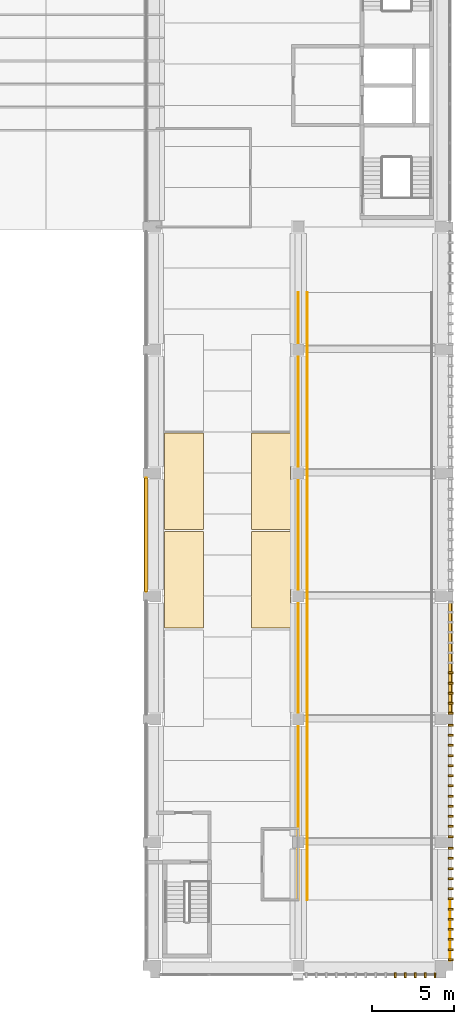
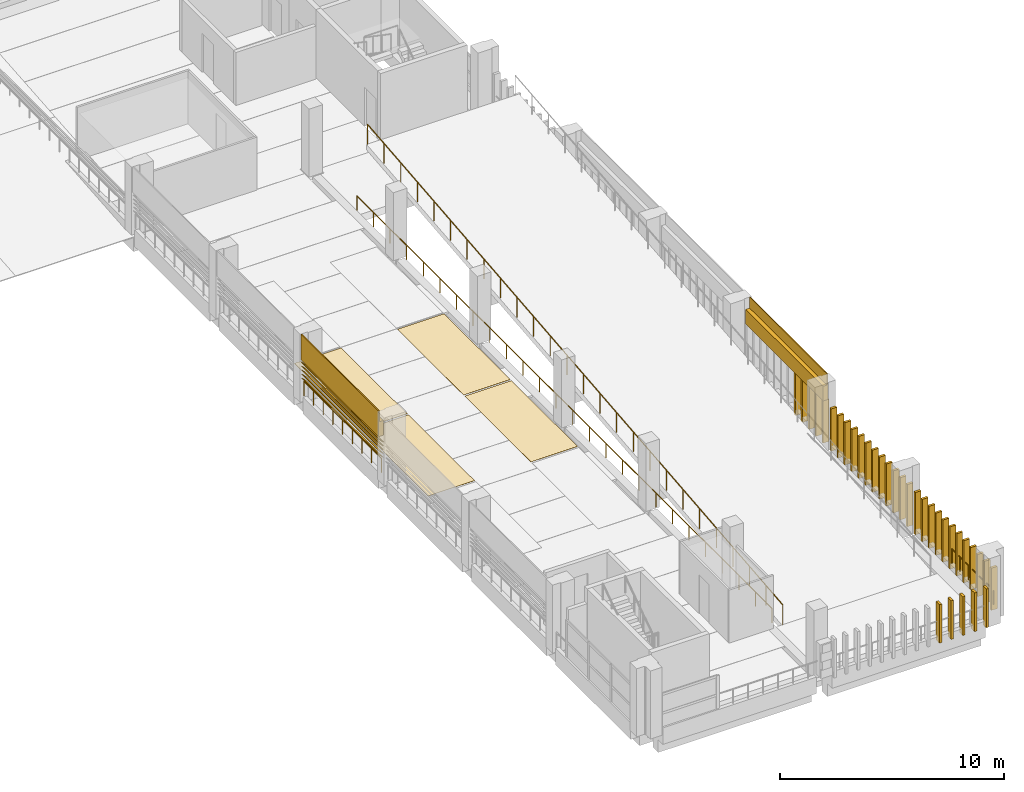
# One storey, part 20 of 24: 40 coverings, 5 shading devices, 4 railings.
"""IFC4 building model written with IfcOpenShell, lengths in metres."""

from ifc_helpers import new_model, si_unit, direction, frame, origin, origin_2d, place, context, subcontext, project, spatial, polyline, circle, outline, extrude, material, layer, layer_set, type_object, element, save


model = new_model("IFC4")

# Units and contexts
model_context = context("Model", 3, precision=1e-05, world=origin(), true_north=direction((0.0, 1.0)))
body_context = subcontext(model_context, "Body", "Model", "MODEL_VIEW")
ifc_project = project(units=[si_unit("LENGTHUNIT", "METRE"), si_unit("AREAUNIT", "SQUARE_METRE"), si_unit("VOLUMEUNIT", "CUBIC_METRE"), si_unit("PLANEANGLEUNIT", "RADIAN"), si_unit("MASSUNIT", "GRAM", prefix="KILO")], contexts=[model_context])

# Site, building, storey
site_placement = place(None, origin())
site = spatial("IfcSite", under=ifc_project, at=site_placement, CompositionType="ELEMENT")
building_placement = place(site_placement, origin())
building = spatial("IfcBuilding", under=site, at=building_placement, Name="Cour d'Honneur Mobility Palace", CompositionType="ELEMENT")
storey_placement = place(building_placement, frame((0.0, 0.0, 26.699951171875)))
storey = spatial("IfcBuildingStorey", under=building, at=storey_placement, Name="L07", CompositionType="ELEMENT", Elevation=26.699951171875)

# Railings
ifc_material_1 = material(Name="Painted steel", Category="steel")
railing_type_1 = type_object("IfcRailingType", Name="Balustrade", PredefinedType="BALUSTRADE", material=ifc_material_1)
railing_1_placement = place(storey_placement, frame((162.85009765625, 0.300048828125, 0.300048828125)))
element("IfcRailing", 1, at=railing_1_placement, inside=storey, type_object=railing_type_1, Name="Balustrade BAL-378", PredefinedType="BALUSTRADE", context=body_context, shape_type="SweptSolid", body=[
    extrude(circle(Radius=0.02392578125, at=origin_2d()), frame((0.0, 0.0, 0.77587890625), z_axis=(0.0, 1.0, 0.0), x_axis=(-1.0, 0.0, 0.0)), (0.0, 0.0, 1.0), 3.699951171875),
    extrude(circle(Radius=0.02099609375, at=origin_2d()), origin(), (0.0, 0.0, 1.0), 0.751953125),
    extrude(circle(Radius=0.02099609375, at=origin_2d()), frame((0.0, 0.739990234375, 0.0)), (0.0, 0.0, 1.0), 0.751953125),
    extrude(circle(Radius=0.02099609375, at=origin_2d()), frame((0.0, 1.47998046875, 0.0)), (0.0, 0.0, 1.0), 0.751953125),
    extrude(circle(Radius=0.02099609375, at=origin_2d()), frame((0.0, 2.219970703125, 0.0)), (0.0, 0.0, 1.0), 0.751953125),
    extrude(circle(Radius=0.02099609375, at=origin_2d()), frame((0.0, 2.9599609375, 0.0)), (0.0, 0.0, 1.0), 0.751953125),
    extrude(circle(Radius=0.02099609375, at=origin_2d()), frame((0.0, 3.699951171875, 0.0)), (0.0, 0.0, 1.0), 0.751953125),
])
railing_2_placement = place(storey_placement, frame((144.35009765625, 29.699951171875, 0.300048828125)))
element("IfcRailing", 2, at=railing_2_placement, inside=storey, type_object=railing_type_1, Name="Balustrade BAL-384", PredefinedType="BALUSTRADE", context=body_context, shape_type="SweptSolid", body=[
    extrude(circle(Radius=0.02392578125, at=origin_2d()), frame((0.0, 0.0, 0.77587890625), z_axis=(0.0, -1.0, 0.0), x_axis=(1.0, 0.0, 0.0)), (0.0, 0.0, 1.0), 6.89990234375),
    extrude(circle(Radius=0.02099609375, at=origin_2d()), origin(), (0.0, 0.0, 1.0), 0.751953125),
    extrude(circle(Radius=0.02099609375, at=origin_2d()), frame((0.0, -0.862548828125, 0.0)), (0.0, 0.0, 1.0), 0.751953125),
    extrude(circle(Radius=0.02099609375, at=origin_2d()), frame((0.0, -1.72509765625, 0.0)), (0.0, 0.0, 1.0), 0.751953125),
    extrude(circle(Radius=0.02099609375, at=origin_2d()), frame((0.0, -2.58740234375, 0.0)), (0.0, 0.0, 1.0), 0.751953125),
    extrude(circle(Radius=0.02099609375, at=origin_2d()), frame((0.0, -3.449951171875, 0.0)), (0.0, 0.0, 1.0), 0.751953125),
    extrude(circle(Radius=0.02099609375, at=origin_2d()), frame((0.0, -4.3125, 0.0)), (0.0, 0.0, 1.0), 0.751953125),
    extrude(circle(Radius=0.02099609375, at=origin_2d()), frame((0.0, -5.1748046875, 0.0)), (0.0, 0.0, 1.0), 0.751953125),
    extrude(circle(Radius=0.02099609375, at=origin_2d()), frame((0.0, -6.037353515625, 0.0)), (0.0, 0.0, 1.0), 0.751953125),
    extrude(circle(Radius=0.02099609375, at=origin_2d()), frame((0.0, -6.89990234375, 0.0)), (0.0, 0.0, 1.0), 0.751953125),
])

# Coverings
ifc_material_2 = material(Name="Parking marking paint")
ifc_layer_1 = layer(ifc_material_2, 0.0048828125)
ifc_layer_set_1 = layer_set([ifc_layer_1], Name="Parking marking paint")
covering_type_1 = type_object("IfcCoveringType", Name="Parking bay marking", PredefinedType="FLOORING", material=ifc_layer_set_1)
covering_1_placement = place(storey_placement, origin())
element("IfcCovering", 3, at=covering_1_placement, inside=storey, type_object=covering_type_1, Name="Parking bay marking L07 2", PredefinedType="FLOORING", context=body_context, shape_type="SweptSolid", body=[
    extrude(outline(polyline([(153.14990234375, 20.550048828125), (150.75, 20.550048828125), (150.75, 26.449951171875), (153.14990234375, 26.449951171875), (153.14990234375, 20.550048828125)])), origin(), (0.0, 0.0, 1.0), 0.005126953125),
])
covering_2_placement = place(storey_placement, origin())
element("IfcCovering", 4, at=covering_2_placement, inside=storey, type_object=covering_type_1, Name="Parking bay marking L07 3", PredefinedType="FLOORING", context=body_context, shape_type="SweptSolid", body=[
    extrude(outline(polyline([(153.14990234375, 26.550048828125), (150.75, 26.550048828125), (150.75, 32.449951171875), (153.14990234375, 32.449951171875), (153.14990234375, 26.550048828125)])), origin(), (0.0, 0.0, 1.0), 0.005126953125),
])
covering_3_placement = place(storey_placement, origin())
element("IfcCovering", 5, at=covering_3_placement, inside=storey, type_object=covering_type_1, Name="Parking bay marking L07 6", PredefinedType="FLOORING", context=body_context, shape_type="SweptSolid", body=[
    extrude(outline(polyline([(147.85009765625, 20.550048828125), (145.449951171875, 20.550048828125), (145.449951171875, 26.449951171875), (147.85009765625, 26.449951171875), (147.85009765625, 20.550048828125)])), origin(), (0.0, 0.0, 1.0), 0.005126953125),
])
covering_4_placement = place(storey_placement, origin())
element("IfcCovering", 6, at=covering_4_placement, inside=storey, type_object=covering_type_1, Name="Parking bay marking L07 7", PredefinedType="FLOORING", context=body_context, shape_type="SweptSolid", body=[
    extrude(outline(polyline([(147.85009765625, 26.550048828125), (145.449951171875, 26.550048828125), (145.449951171875, 32.449951171875), (147.85009765625, 32.449951171875), (147.85009765625, 26.550048828125)])), origin(), (0.0, 0.0, 1.0), 0.005126953125),
])

# Railing
ifc_material_3 = material(Name="Painted steel", Category="steel")
railing_type_2 = type_object("IfcRailingType", Name="Ramp guard 1100", PredefinedType="GUARDRAIL", material=ifc_material_3)
railing_3_placement = place(storey_placement, frame((154.14990234375, 4.0, 0.0)))
element("IfcRailing", 7, at=railing_3_placement, inside=storey, type_object=railing_type_2, Name="Ramp guard Ramp East 8", PredefinedType="GUARDRAIL", context=body_context, shape_type="SweptSolid", body=[
    extrude(circle(Radius=0.02490234375, at=origin_2d()), frame((0.0, 0.0, 1.0751953125), z_axis=(0.0, 0.995037320222, 0.099502418892), x_axis=(-1.0, 0.0, 0.0)), (0.0, 0.0, 1.0), 37.1845703125),
    extrude(circle(Radius=0.02099609375, at=origin_2d()), origin(), (0.0, 0.0, 1.0), 1.050048828125),
    extrude(circle(Radius=0.02099609375, at=origin_2d()), frame((0.0, 1.47998046875, 0.14794921875)), (0.0, 0.0, 1.0), 1.050048828125),
    extrude(circle(Radius=0.02099609375, at=origin_2d()), frame((0.0, 2.9599609375, 0.2958984375)), (0.0, 0.0, 1.0), 1.050048828125),
    extrude(circle(Radius=0.02099609375, at=origin_2d()), frame((0.0, 4.43994140625, 0.444091796875)), (0.0, 0.0, 1.0), 1.050048828125),
    extrude(circle(Radius=0.02099609375, at=origin_2d()), frame((0.0, 5.919921875, 0.592041015625)), (0.0, 0.0, 1.0), 1.050048828125),
    extrude(circle(Radius=0.02099609375, at=origin_2d()), frame((0.0, 7.39990234375, 0.739990234375)), (0.0, 0.0, 1.0), 1.050048828125),
    extrude(circle(Radius=0.02099609375, at=origin_2d()), frame((0.0, 8.8798828125, 0.887939453125)), (0.0, 0.0, 1.0), 1.050048828125),
    extrude(circle(Radius=0.02099609375, at=origin_2d()), frame((0.0, 10.360107421875, 1.035888671875)), (0.0, 0.0, 1.0), 1.050048828125),
    extrude(circle(Radius=0.02099609375, at=origin_2d()), frame((0.0, 11.840087890625, 1.18408203125)), (0.0, 0.0, 1.0), 1.050048828125),
    extrude(circle(Radius=0.02099609375, at=origin_2d()), frame((0.0, 13.320068359375, 1.33203125)), (0.0, 0.0, 1.0), 1.050048828125),
    extrude(circle(Radius=0.02099609375, at=origin_2d()), frame((0.0, 14.800048828125, 1.47998046875)), (0.0, 0.0, 1.0), 1.050048828125),
    extrude(circle(Radius=0.02099609375, at=origin_2d()), frame((0.0, 16.280029296875, 1.6279296875)), (0.0, 0.0, 1.0), 1.050048828125),
    extrude(circle(Radius=0.02099609375, at=origin_2d()), frame((0.0, 17.760009765625, 1.77587890625)), (0.0, 0.0, 1.0), 1.050048828125),
    extrude(circle(Radius=0.02099609375, at=origin_2d()), frame((0.0, 19.239990234375, 1.924072265625)), (0.0, 0.0, 1.0), 1.050048828125),
    extrude(circle(Radius=0.02099609375, at=origin_2d()), frame((0.0, 20.719970703125, 2.072021484375)), (0.0, 0.0, 1.0), 1.050048828125),
    extrude(circle(Radius=0.02099609375, at=origin_2d()), frame((0.0, 22.199951171875, 2.219970703125)), (0.0, 0.0, 1.0), 1.050048828125),
    extrude(circle(Radius=0.02099609375, at=origin_2d()), frame((0.0, 23.679931640625, 2.367919921875)), (0.0, 0.0, 1.0), 1.050048828125),
    extrude(circle(Radius=0.02099609375, at=origin_2d()), frame((0.0, 25.159912109375, 2.515869140625)), (0.0, 0.0, 1.0), 1.050048828125),
    extrude(circle(Radius=0.02099609375, at=origin_2d()), frame((0.0, 26.639892578125, 2.6640625)), (0.0, 0.0, 1.0), 1.050048828125),
    extrude(circle(Radius=0.02099609375, at=origin_2d()), frame((0.0, 28.1201171875, 2.81201171875)), (0.0, 0.0, 1.0), 1.050048828125),
    extrude(circle(Radius=0.02099609375, at=origin_2d()), frame((0.0, 29.60009765625, 2.9599609375)), (0.0, 0.0, 1.0), 1.050048828125),
    extrude(circle(Radius=0.02099609375, at=origin_2d()), frame((0.0, 31.080078125, 3.10791015625)), (0.0, 0.0, 1.0), 1.050048828125),
    extrude(circle(Radius=0.02099609375, at=origin_2d()), frame((0.0, 32.56005859375, 3.255859375)), (0.0, 0.0, 1.0), 1.050048828125),
    extrude(circle(Radius=0.02099609375, at=origin_2d()), frame((0.0, 34.0400390625, 3.404052734375)), (0.0, 0.0, 1.0), 1.050048828125),
    extrude(circle(Radius=0.02099609375, at=origin_2d()), frame((0.0, 35.52001953125, 3.552001953125)), (0.0, 0.0, 1.0), 1.050048828125),
    extrude(circle(Radius=0.02099609375, at=origin_2d()), frame((0.0, 37.0, 3.699951171875)), (0.0, 0.0, 1.0), 1.050048828125),
])

# Coverings
ifc_material_4 = material(Name="Cast limestone", Category="masonry")
ifc_layer_2 = layer(ifc_material_4, 0.1201171875)
ifc_layer_set_2 = layer_set([ifc_layer_2], Name="Cast limestone")
covering_type_2 = type_object("IfcCoveringType", Name="Ramp screen fin", PredefinedType="CLADDING", material=ifc_layer_set_2)
covering_5_placement = place(storey_placement, origin())
element("IfcCovering", 8, at=covering_5_placement, inside=storey, type_object=covering_type_2, Name="Ramp screen fin S4.1 L07 10", PredefinedType="CLADDING", context=body_context, shape_type="SweptSolid", body=[
    extrude(outline(polyline([(159.470703125, -0.449951171875), (159.5908203125, -0.449951171875), (159.5908203125, -0.75), (159.470703125, -0.75), (159.470703125, -0.449951171875)])), origin(), (0.0, 0.0, 1.0), 2.10009765625),
])
covering_6_placement = place(storey_placement, origin())
element("IfcCovering", 9, at=covering_6_placement, inside=storey, type_object=covering_type_2, Name="Ramp screen fin S4.1 L07 11", PredefinedType="CLADDING", context=body_context, shape_type="SweptSolid", body=[
    extrude(outline(polyline([(160.072998046875, -0.449951171875), (160.193115234375, -0.449951171875), (160.193115234375, -0.75), (160.072998046875, -0.75), (160.072998046875, -0.449951171875)])), origin(), (0.0, 0.0, 1.0), 2.10009765625),
])
covering_7_placement = place(storey_placement, origin())
element("IfcCovering", 10, at=covering_7_placement, inside=storey, type_object=covering_type_2, Name="Ramp screen fin S4.1 L07 12", PredefinedType="CLADDING", context=body_context, shape_type="SweptSolid", body=[
    extrude(outline(polyline([(160.67529296875, -0.449951171875), (160.79541015625, -0.449951171875), (160.79541015625, -0.75), (160.67529296875, -0.75), (160.67529296875, -0.449951171875)])), origin(), (0.0, 0.0, 1.0), 2.10009765625),
])
covering_8_placement = place(storey_placement, origin())
element("IfcCovering", 11, at=covering_8_placement, inside=storey, type_object=covering_type_2, Name="Ramp screen fin S4.1 L07 13", PredefinedType="CLADDING", context=body_context, shape_type="SweptSolid", body=[
    extrude(outline(polyline([(161.277587890625, -0.449951171875), (161.397705078125, -0.449951171875), (161.397705078125, -0.75), (161.277587890625, -0.75), (161.277587890625, -0.449951171875)])), origin(), (0.0, 0.0, 1.0), 2.10009765625),
])
covering_9_placement = place(storey_placement, origin())
element("IfcCovering", 12, at=covering_9_placement, inside=storey, type_object=covering_type_2, Name="Ramp screen fin S4.1 L07 14", PredefinedType="CLADDING", context=body_context, shape_type="SweptSolid", body=[
    extrude(outline(polyline([(161.8798828125, -0.449951171875), (162.0, -0.449951171875), (162.0, -0.75), (161.8798828125, -0.75), (161.8798828125, -0.449951171875)])), origin(), (0.0, 0.0, 1.0), 2.10009765625),
])
covering_10_placement = place(storey_placement, origin())
element("IfcCovering", 13, at=covering_10_placement, inside=storey, type_object=covering_type_2, Name="Ramp screen fin E5.0 L07 1", PredefinedType="CLADDING", context=body_context, shape_type="SweptSolid", body=[
    extrude(outline(polyline([(162.75, 0.300048828125), (162.75, 0.419921875), (163.050048828125, 0.419921875), (163.050048828125, 0.300048828125), (162.75, 0.300048828125)])), origin(), (0.0, 0.0, 1.0), 2.300048828125),
])
covering_11_placement = place(storey_placement, origin())
element("IfcCovering", 14, at=covering_11_placement, inside=storey, type_object=covering_type_2, Name="Ramp screen fin E5.0 L07 2", PredefinedType="CLADDING", context=body_context, shape_type="SweptSolid", body=[
    extrude(outline(polyline([(162.75, 0.916259765625), (162.75, 1.036376953125), (163.050048828125, 1.036376953125), (163.050048828125, 0.916259765625), (162.75, 0.916259765625)])), origin(), (0.0, 0.0, 1.0), 2.300048828125),
])
covering_12_placement = place(storey_placement, origin())
element("IfcCovering", 15, at=covering_12_placement, inside=storey, type_object=covering_type_2, Name="Ramp screen fin E5.0 L07 3", PredefinedType="CLADDING", context=body_context, shape_type="SweptSolid", body=[
    extrude(outline(polyline([(162.75, 1.53271484375), (162.75, 1.65283203125), (163.050048828125, 1.65283203125), (163.050048828125, 1.53271484375), (162.75, 1.53271484375)])), origin(), (0.0, 0.0, 1.0), 2.300048828125),
])
covering_13_placement = place(storey_placement, origin())
element("IfcCovering", 16, at=covering_13_placement, inside=storey, type_object=covering_type_2, Name="Ramp screen fin E5.0 L07 4", PredefinedType="CLADDING", context=body_context, shape_type="SweptSolid", body=[
    extrude(outline(polyline([(162.75, 2.149169921875), (162.75, 2.26904296875), (163.050048828125, 2.26904296875), (163.050048828125, 2.149169921875), (162.75, 2.149169921875)])), origin(), (0.0, 0.0, 1.0), 2.300048828125),
])
covering_14_placement = place(storey_placement, origin())
element("IfcCovering", 17, at=covering_14_placement, inside=storey, type_object=covering_type_2, Name="Ramp screen fin E5.0 L07 5", PredefinedType="CLADDING", context=body_context, shape_type="SweptSolid", body=[
    extrude(outline(polyline([(162.75, 2.765380859375), (162.75, 2.885498046875), (163.050048828125, 2.885498046875), (163.050048828125, 2.765380859375), (162.75, 2.765380859375)])), origin(), (0.0, 0.0, 1.0), 2.300048828125),
])
covering_15_placement = place(storey_placement, origin())
element("IfcCovering", 18, at=covering_15_placement, inside=storey, type_object=covering_type_2, Name="Ramp screen fin E5.0 L07 6", PredefinedType="CLADDING", context=body_context, shape_type="SweptSolid", body=[
    extrude(outline(polyline([(162.75, 3.3818359375), (162.75, 3.501708984375), (163.050048828125, 3.501708984375), (163.050048828125, 3.3818359375), (162.75, 3.3818359375)])), origin(), (0.0, 0.0, 1.0), 2.300048828125),
])
covering_16_placement = place(storey_placement, origin())
element("IfcCovering", 19, at=covering_16_placement, inside=storey, type_object=covering_type_2, Name="Ramp screen fin E5.0 L07 7", PredefinedType="CLADDING", context=body_context, shape_type="SweptSolid", body=[
    extrude(outline(polyline([(162.75, 3.998291015625), (162.75, 4.1181640625), (163.050048828125, 4.1181640625), (163.050048828125, 3.998291015625), (162.75, 3.998291015625)])), origin(), (0.0, 0.0, 1.0), 2.300048828125),
])
covering_17_placement = place(storey_placement, origin())
element("IfcCovering", 20, at=covering_17_placement, inside=storey, type_object=covering_type_2, Name="Ramp screen fin E5.0 L07 8", PredefinedType="CLADDING", context=body_context, shape_type="SweptSolid", body=[
    extrude(outline(polyline([(162.75, 4.614501953125), (162.75, 4.734619140625), (163.050048828125, 4.734619140625), (163.050048828125, 4.614501953125), (162.75, 4.614501953125)])), origin(), (0.0, 0.0, 1.0), 2.300048828125),
])
covering_18_placement = place(storey_placement, origin())
element("IfcCovering", 21, at=covering_18_placement, inside=storey, type_object=covering_type_2, Name="Ramp screen fin E5.0 L07 9", PredefinedType="CLADDING", context=body_context, shape_type="SweptSolid", body=[
    extrude(outline(polyline([(162.75, 5.23095703125), (162.75, 5.350830078125), (163.050048828125, 5.350830078125), (163.050048828125, 5.23095703125), (162.75, 5.23095703125)])), origin(), (0.0, 0.0, 1.0), 2.300048828125),
])
covering_19_placement = place(storey_placement, origin())
element("IfcCovering", 22, at=covering_19_placement, inside=storey, type_object=covering_type_2, Name="Ramp screen fin E5.0 L07 10", PredefinedType="CLADDING", context=body_context, shape_type="SweptSolid", body=[
    extrude(outline(polyline([(162.75, 5.84716796875), (162.75, 5.96728515625), (163.050048828125, 5.96728515625), (163.050048828125, 5.84716796875), (162.75, 5.84716796875)])), origin(), (0.0, 0.0, 1.0), 2.300048828125),
])
covering_20_placement = place(storey_placement, origin())
element("IfcCovering", 23, at=covering_20_placement, inside=storey, type_object=covering_type_2, Name="Ramp screen fin E5.0 L07 11", PredefinedType="CLADDING", context=body_context, shape_type="SweptSolid", body=[
    extrude(outline(polyline([(162.75, 6.463623046875), (162.75, 6.583740234375), (163.050048828125, 6.583740234375), (163.050048828125, 6.463623046875), (162.75, 6.463623046875)])), origin(), (0.0, 0.0, 1.0), 2.300048828125),
])
covering_21_placement = place(storey_placement, origin())
element("IfcCovering", 24, at=covering_21_placement, inside=storey, type_object=covering_type_2, Name="Ramp screen fin E5.0 L07 12", PredefinedType="CLADDING", context=body_context, shape_type="SweptSolid", body=[
    extrude(outline(polyline([(162.75, 7.080078125), (162.75, 7.199951171875), (163.050048828125, 7.199951171875), (163.050048828125, 7.080078125), (162.75, 7.080078125)])), origin(), (0.0, 0.0, 1.0), 2.300048828125),
])
covering_22_placement = place(storey_placement, origin())
element("IfcCovering", 25, at=covering_22_placement, inside=storey, type_object=covering_type_2, Name="Ramp screen fin E5.1 L07 1", PredefinedType="CLADDING", context=body_context, shape_type="SweptSolid", body=[
    extrude(outline(polyline([(162.75, 7.800048828125), (162.75, 7.919921875), (163.050048828125, 7.919921875), (163.050048828125, 7.800048828125), (162.75, 7.800048828125)])), origin(), (0.0, 0.0, 1.0), 2.300048828125),
])
covering_23_placement = place(storey_placement, origin())
element("IfcCovering", 26, at=covering_23_placement, inside=storey, type_object=covering_type_2, Name="Ramp screen fin E5.1 L07 2", PredefinedType="CLADDING", context=body_context, shape_type="SweptSolid", body=[
    extrude(outline(polyline([(162.75, 8.416259765625), (162.75, 8.536376953125), (163.050048828125, 8.536376953125), (163.050048828125, 8.416259765625), (162.75, 8.416259765625)])), origin(), (0.0, 0.0, 1.0), 2.300048828125),
])
covering_24_placement = place(storey_placement, origin())
element("IfcCovering", 27, at=covering_24_placement, inside=storey, type_object=covering_type_2, Name="Ramp screen fin E5.1 L07 3", PredefinedType="CLADDING", context=body_context, shape_type="SweptSolid", body=[
    extrude(outline(polyline([(162.75, 9.03271484375), (162.75, 9.15283203125), (163.050048828125, 9.15283203125), (163.050048828125, 9.03271484375), (162.75, 9.03271484375)])), origin(), (0.0, 0.0, 1.0), 2.300048828125),
])
covering_25_placement = place(storey_placement, origin())
element("IfcCovering", 28, at=covering_25_placement, inside=storey, type_object=covering_type_2, Name="Ramp screen fin E5.1 L07 4", PredefinedType="CLADDING", context=body_context, shape_type="SweptSolid", body=[
    extrude(outline(polyline([(162.75, 9.649169921875), (162.75, 9.76904296875), (163.050048828125, 9.76904296875), (163.050048828125, 9.649169921875), (162.75, 9.649169921875)])), origin(), (0.0, 0.0, 1.0), 2.300048828125),
])
covering_26_placement = place(storey_placement, origin())
element("IfcCovering", 29, at=covering_26_placement, inside=storey, type_object=covering_type_2, Name="Ramp screen fin E5.1 L07 5", PredefinedType="CLADDING", context=body_context, shape_type="SweptSolid", body=[
    extrude(outline(polyline([(162.75, 10.265380859375), (162.75, 10.385498046875), (163.050048828125, 10.385498046875), (163.050048828125, 10.265380859375), (162.75, 10.265380859375)])), origin(), (0.0, 0.0, 1.0), 2.300048828125),
])
covering_27_placement = place(storey_placement, origin())
element("IfcCovering", 30, at=covering_27_placement, inside=storey, type_object=covering_type_2, Name="Ramp screen fin E5.1 L07 6", PredefinedType="CLADDING", context=body_context, shape_type="SweptSolid", body=[
    extrude(outline(polyline([(162.75, 10.8818359375), (162.75, 11.001708984375), (163.050048828125, 11.001708984375), (163.050048828125, 10.8818359375), (162.75, 10.8818359375)])), origin(), (0.0, 0.0, 1.0), 2.300048828125),
])
covering_28_placement = place(storey_placement, origin())
element("IfcCovering", 31, at=covering_28_placement, inside=storey, type_object=covering_type_2, Name="Ramp screen fin E5.1 L07 7", PredefinedType="CLADDING", context=body_context, shape_type="SweptSolid", body=[
    extrude(outline(polyline([(162.75, 11.498291015625), (162.75, 11.6181640625), (163.050048828125, 11.6181640625), (163.050048828125, 11.498291015625), (162.75, 11.498291015625)])), origin(), (0.0, 0.0, 1.0), 2.300048828125),
])
covering_29_placement = place(storey_placement, origin())
element("IfcCovering", 32, at=covering_29_placement, inside=storey, type_object=covering_type_2, Name="Ramp screen fin E5.1 L07 8", PredefinedType="CLADDING", context=body_context, shape_type="SweptSolid", body=[
    extrude(outline(polyline([(162.75, 12.114501953125), (162.75, 12.234619140625), (163.050048828125, 12.234619140625), (163.050048828125, 12.114501953125), (162.75, 12.114501953125)])), origin(), (0.0, 0.0, 1.0), 2.300048828125),
])
covering_30_placement = place(storey_placement, origin())
element("IfcCovering", 33, at=covering_30_placement, inside=storey, type_object=covering_type_2, Name="Ramp screen fin E5.1 L07 9", PredefinedType="CLADDING", context=body_context, shape_type="SweptSolid", body=[
    extrude(outline(polyline([(162.75, 12.73095703125), (162.75, 12.850830078125), (163.050048828125, 12.850830078125), (163.050048828125, 12.73095703125), (162.75, 12.73095703125)])), origin(), (0.0, 0.0, 1.0), 2.300048828125),
])
covering_31_placement = place(storey_placement, origin())
element("IfcCovering", 34, at=covering_31_placement, inside=storey, type_object=covering_type_2, Name="Ramp screen fin E5.1 L07 10", PredefinedType="CLADDING", context=body_context, shape_type="SweptSolid", body=[
    extrude(outline(polyline([(162.75, 13.34716796875), (162.75, 13.46728515625), (163.050048828125, 13.46728515625), (163.050048828125, 13.34716796875), (162.75, 13.34716796875)])), origin(), (0.0, 0.0, 1.0), 2.300048828125),
])
covering_32_placement = place(storey_placement, origin())
element("IfcCovering", 35, at=covering_32_placement, inside=storey, type_object=covering_type_2, Name="Ramp screen fin E5.1 L07 11", PredefinedType="CLADDING", context=body_context, shape_type="SweptSolid", body=[
    extrude(outline(polyline([(162.75, 13.963623046875), (162.75, 14.083740234375), (163.050048828125, 14.083740234375), (163.050048828125, 13.963623046875), (162.75, 13.963623046875)])), origin(), (0.0, 0.0, 1.0), 2.300048828125),
])
covering_33_placement = place(storey_placement, origin())
element("IfcCovering", 36, at=covering_33_placement, inside=storey, type_object=covering_type_2, Name="Ramp screen fin E5.1 L07 12", PredefinedType="CLADDING", context=body_context, shape_type="SweptSolid", body=[
    extrude(outline(polyline([(162.75, 14.580078125), (162.75, 14.699951171875), (163.050048828125, 14.699951171875), (163.050048828125, 14.580078125), (162.75, 14.580078125)])), origin(), (0.0, 0.0, 1.0), 2.300048828125),
])
covering_34_placement = place(storey_placement, origin())
element("IfcCovering", 37, at=covering_34_placement, inside=storey, type_object=covering_type_2, Name="Ramp screen fin E5.2 L07 1", PredefinedType="CLADDING", context=body_context, shape_type="SweptSolid", body=[
    extrude(outline(polyline([(162.75, 15.300048828125), (162.75, 15.419921875), (163.050048828125, 15.419921875), (163.050048828125, 15.300048828125), (162.75, 15.300048828125)])), origin(), (0.0, 0.0, 1.0), 2.300048828125),
])
covering_35_placement = place(storey_placement, origin())
element("IfcCovering", 38, at=covering_35_placement, inside=storey, type_object=covering_type_2, Name="Ramp screen fin E5.2 L07 2", PredefinedType="CLADDING", context=body_context, shape_type="SweptSolid", body=[
    extrude(outline(polyline([(162.75, 15.916259765625), (162.75, 16.036376953125), (163.050048828125, 16.036376953125), (163.050048828125, 15.916259765625), (162.75, 15.916259765625)])), origin(), (0.0, 0.0, 1.0), 2.300048828125),
])
covering_36_placement = place(storey_placement, origin())
element("IfcCovering", 39, at=covering_36_placement, inside=storey, type_object=covering_type_2, Name="Ramp screen fin E5.2 L07 3", PredefinedType="CLADDING", context=body_context, shape_type="SweptSolid", body=[
    extrude(outline(polyline([(162.75, 16.53271484375), (162.75, 16.65283203125), (163.050048828125, 16.65283203125), (163.050048828125, 16.53271484375), (162.75, 16.53271484375)])), origin(), (0.0, 0.0, 1.0), 2.300048828125),
])
covering_37_placement = place(storey_placement, origin())
element("IfcCovering", 40, at=covering_37_placement, inside=storey, type_object=covering_type_2, Name="Ramp screen fin E5.2 L07 4", PredefinedType="CLADDING", context=body_context, shape_type="SweptSolid", body=[
    extrude(outline(polyline([(162.75, 17.149169921875), (162.75, 17.26904296875), (163.050048828125, 17.26904296875), (163.050048828125, 17.149169921875), (162.75, 17.149169921875)])), origin(), (0.0, 0.0, 1.0), 2.300048828125),
])
covering_38_placement = place(storey_placement, origin())
element("IfcCovering", 41, at=covering_38_placement, inside=storey, type_object=covering_type_2, Name="Ramp screen fin E5.2 L07 5", PredefinedType="CLADDING", context=body_context, shape_type="SweptSolid", body=[
    extrude(outline(polyline([(162.75, 17.765380859375), (162.75, 17.885498046875), (163.050048828125, 17.885498046875), (163.050048828125, 17.765380859375), (162.75, 17.765380859375)])), origin(), (0.0, 0.0, 1.0), 2.300048828125),
])
ifc_material_5 = material(Name="Cast limestone", Category="masonry")
ifc_layer_3 = layer(ifc_material_5, 0.25)
ifc_layer_set_3 = layer_set([ifc_layer_3], Name="Cast limestone")
covering_type_3 = type_object("IfcCoveringType", Name="Spandrel cladding", PredefinedType="CLADDING", material=ifc_layer_set_3)
for number, where, z_axis, x_axis, name in (
    (42, (162.75, 15.300048828125, 2.300048828125), (0.0, -1.0, 0.0), (1.0, 0.0, 0.0), "Spandrel cladding SK-383"),
    (43, (144.449951171875, 29.699951171875, 2.300048828125), (0.0, 1.0, 0.0), (-1.0, 0.0, 0.0), "Spandrel cladding SK-388"),
):
    element("IfcCovering", number, at=place(storey_placement, frame(where, z_axis=z_axis, x_axis=x_axis)), inside=storey, type_object=covering_type_3, Name=name, PredefinedType="CLADDING", context=body_context, shape_type="SweptSolid", body=[
        extrude(outline(polyline([(0.0, 0.0), (0.25, 0.0), (0.25, 1.39990234375), (0.199951171875, 1.39990234375), (0.199951171875, 0.800048828125), (0.0, 0.800048828125), (0.0, 0.0)])), origin(), (0.0, 0.0, -1.0), 6.89990234375),
    ])

# Shading devices
ifc_material_6 = material(Name="Terracotta", Category="masonry")
ifc_layer_4 = layer(ifc_material_6, 0.02490234375)
ifc_layer_set_4 = layer_set([ifc_layer_4], Name="Terracotta")
shading_device_type = type_object("IfcShadingDeviceType", Name="Terracotta louvre blade", PredefinedType="JALOUSIE", material=ifc_layer_set_4)
for number, where, z_axis, x_axis, name in (
    (44, (144.4560546875, 29.699951171875, 1.10009765625), (0.707106781187, 0.0, 0.707106781187), (0.0, -1.0, 0.0), "Louvre blade LV-1 W7.3 L07 1"),
    (45, (144.4560546875, 29.699951171875, 1.312255859375), (0.707106781187, 0.0, 0.707106781187), (0.0, -1.0, 0.0), "Louvre blade LV-1 W7.3 L07 2"),
):
    element("IfcShadingDevice", number, at=place(storey_placement, frame(where, z_axis=z_axis, x_axis=x_axis)), inside=storey, type_object=shading_device_type, Name=name, PredefinedType="JALOUSIE", context=body_context, shape_type="SweptSolid", body=[
        extrude(outline(polyline([(0.0, 0.0), (6.89990234375, 0.0), (6.89990234375, -0.300037008228081), (0.0, -0.300037008228081), (0.0, 0.0)])), origin(), (0.0, 0.0, -1.0), 0.02490234375),
    ])
shading_device_placement = place(storey_placement, frame((144.4560546875, 29.699951171875, 1.5244140625), z_axis=(0.706699578995, 0.0, 0.707513749017), x_axis=(0.0, -1.0, 0.0)))
element("IfcShadingDevice", 46, at=shading_device_placement, inside=storey, type_object=shading_device_type, Name="Louvre blade LV-1 W7.3 L07 3", PredefinedType="JALOUSIE", context=body_context, shape_type="SweptSolid", body=[
    extrude(outline(polyline([(0.0, 0.0), (6.89990234375, 0.0), (6.89990234375, -0.29986442442957895), (0.0, -0.29986442442957895), (0.0, 0.0)])), origin(), (0.0, 0.0, -1.0), 0.02490234375),
])
for number, where, z_axis, x_axis, name in (
    (47, (144.4560546875, 29.699951171875, 1.736328125), (0.707106781187, 0.0, 0.707106781187), (0.0, -1.0, 0.0), "Louvre blade LV-1 W7.3 L07 4"),
    (48, (144.4560546875, 29.699951171875, 1.948486328125), (0.707106781187, 0.0, 0.707106781187), (0.0, -1.0, 0.0), "Louvre blade LV-1 W7.3 L07 5"),
):
    element("IfcShadingDevice", number, at=place(storey_placement, frame(where, z_axis=z_axis, x_axis=x_axis)), inside=storey, type_object=shading_device_type, Name=name, PredefinedType="JALOUSIE", context=body_context, shape_type="SweptSolid", body=[
        extrude(outline(polyline([(0.0, 0.0), (6.89990234375, 0.0), (6.89990234375, -0.300037008228081), (0.0, -0.300037008228081), (0.0, 0.0)])), origin(), (0.0, 0.0, -1.0), 0.02490234375),
    ])

# Railing
ifc_material_7 = material(Name="Painted steel", Category="steel")
railing_type_3 = type_object("IfcRailingType", Name="Void edge guard 1100", PredefinedType="GUARDRAIL", material=ifc_material_7)
railing_4_placement = place(storey_placement, frame((153.60009765625, 4.0, 0.300048828125)))
element("IfcRailing", 49, at=railing_4_placement, inside=storey, type_object=railing_type_3, Name="Void edge guard SE L07", PredefinedType="GUARDRAIL", context=body_context, shape_type="SweptSolid", body=[
    extrude(circle(Radius=0.02490234375, at=origin_2d()), frame((0.0, 0.0, 0.77490234375), z_axis=(0.0, 1.0, 0.0), x_axis=(-1.0, 0.0, 0.0)), (0.0, 0.0, 1.0), 37.0),
    extrude(circle(Radius=0.02099609375, at=origin_2d()), origin(), (0.0, 0.0, 1.0), 0.75),
    extrude(circle(Radius=0.02099609375, at=origin_2d()), frame((0.0, 1.47998046875, 0.0)), (0.0, 0.0, 1.0), 0.75),
    extrude(circle(Radius=0.02099609375, at=origin_2d()), frame((0.0, 2.9599609375, 0.0)), (0.0, 0.0, 1.0), 0.75),
    extrude(circle(Radius=0.02099609375, at=origin_2d()), frame((0.0, 4.43994140625, 0.0)), (0.0, 0.0, 1.0), 0.75),
    extrude(circle(Radius=0.02099609375, at=origin_2d()), frame((0.0, 5.919921875, 0.0)), (0.0, 0.0, 1.0), 0.75),
    extrude(circle(Radius=0.02099609375, at=origin_2d()), frame((0.0, 7.39990234375, 0.0)), (0.0, 0.0, 1.0), 0.75),
    extrude(circle(Radius=0.02099609375, at=origin_2d()), frame((0.0, 8.8798828125, 0.0)), (0.0, 0.0, 1.0), 0.75),
    extrude(circle(Radius=0.02099609375, at=origin_2d()), frame((0.0, 10.360107421875, 0.0)), (0.0, 0.0, 1.0), 0.75),
    extrude(circle(Radius=0.02099609375, at=origin_2d()), frame((0.0, 11.840087890625, 0.0)), (0.0, 0.0, 1.0), 0.75),
    extrude(circle(Radius=0.02099609375, at=origin_2d()), frame((0.0, 13.320068359375, 0.0)), (0.0, 0.0, 1.0), 0.75),
    extrude(circle(Radius=0.02099609375, at=origin_2d()), frame((0.0, 14.800048828125, 0.0)), (0.0, 0.0, 1.0), 0.75),
    extrude(circle(Radius=0.02099609375, at=origin_2d()), frame((0.0, 16.280029296875, 0.0)), (0.0, 0.0, 1.0), 0.75),
    extrude(circle(Radius=0.02099609375, at=origin_2d()), frame((0.0, 17.760009765625, 0.0)), (0.0, 0.0, 1.0), 0.75),
    extrude(circle(Radius=0.02099609375, at=origin_2d()), frame((0.0, 19.239990234375, 0.0)), (0.0, 0.0, 1.0), 0.75),
    extrude(circle(Radius=0.02099609375, at=origin_2d()), frame((0.0, 20.719970703125, 0.0)), (0.0, 0.0, 1.0), 0.75),
    extrude(circle(Radius=0.02099609375, at=origin_2d()), frame((0.0, 22.199951171875, 0.0)), (0.0, 0.0, 1.0), 0.75),
    extrude(circle(Radius=0.02099609375, at=origin_2d()), frame((0.0, 23.679931640625, 0.0)), (0.0, 0.0, 1.0), 0.75),
    extrude(circle(Radius=0.02099609375, at=origin_2d()), frame((0.0, 25.159912109375, 0.0)), (0.0, 0.0, 1.0), 0.75),
    extrude(circle(Radius=0.02099609375, at=origin_2d()), frame((0.0, 26.639892578125, 0.0)), (0.0, 0.0, 1.0), 0.75),
    extrude(circle(Radius=0.02099609375, at=origin_2d()), frame((0.0, 28.1201171875, 0.0)), (0.0, 0.0, 1.0), 0.75),
    extrude(circle(Radius=0.02099609375, at=origin_2d()), frame((0.0, 29.60009765625, 0.0)), (0.0, 0.0, 1.0), 0.75),
    extrude(circle(Radius=0.02099609375, at=origin_2d()), frame((0.0, 31.080078125, 0.0)), (0.0, 0.0, 1.0), 0.75),
    extrude(circle(Radius=0.02099609375, at=origin_2d()), frame((0.0, 32.56005859375, 0.0)), (0.0, 0.0, 1.0), 0.75),
    extrude(circle(Radius=0.02099609375, at=origin_2d()), frame((0.0, 34.0400390625, 0.0)), (0.0, 0.0, 1.0), 0.75),
    extrude(circle(Radius=0.02099609375, at=origin_2d()), frame((0.0, 35.52001953125, 0.0)), (0.0, 0.0, 1.0), 0.75),
    extrude(circle(Radius=0.02099609375, at=origin_2d()), frame((0.0, 37.0, 0.0)), (0.0, 0.0, 1.0), 0.75),
])

save(model, "model.ifc")
